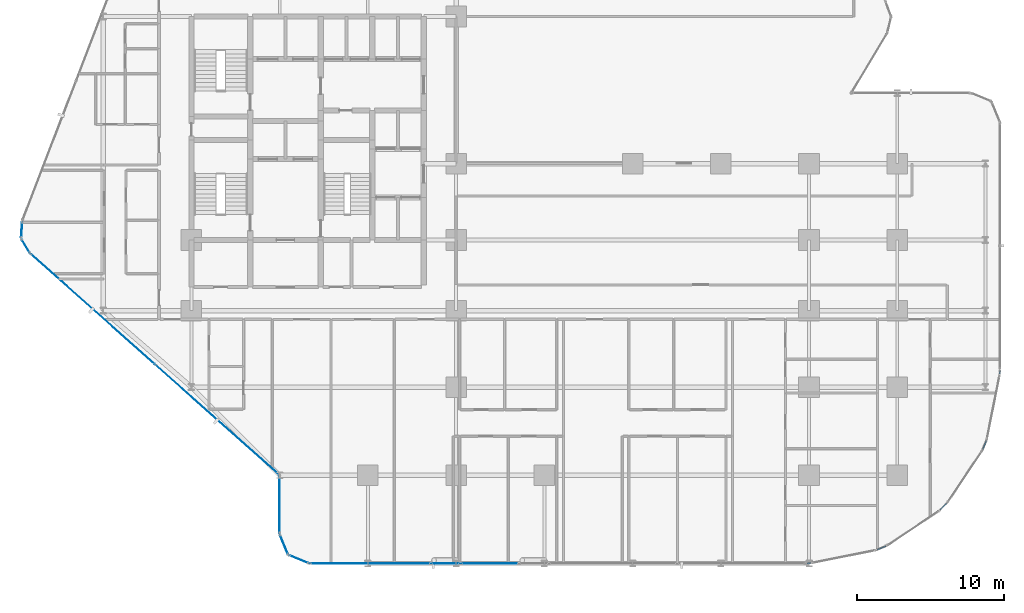
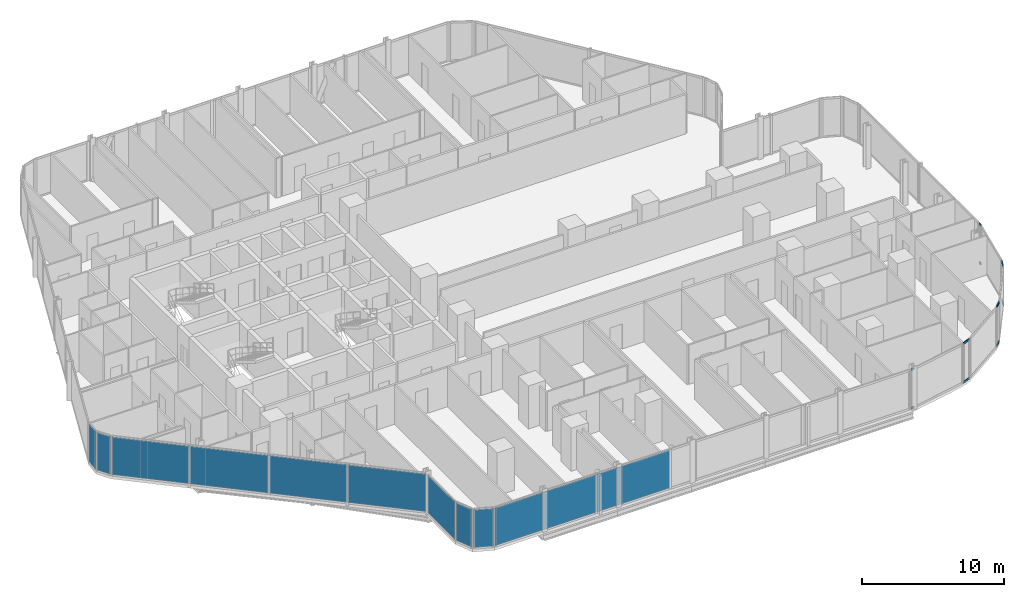
# One storey, part 20 of 34: 10 members, 10 plates, 14 elements without a shape of their own.
"""IFC4 building model written with IfcOpenShell, lengths in metres."""

from ifc_helpers import new_model, si_unit, direction, frame, origin, origin_2d, place, context, subcontext, project, spatial, rectangle, hollow_rectangle, extrude, material, layer, layer_set, material_profile, profile_set, type_object, element, aggregate, save


model = new_model("IFC4")

# Units and contexts
model_context = context("Model", 3, precision=1e-05, world=origin(), true_north=direction((0.0, 1.0)))
body_context = subcontext(model_context, "Body", "Model", "MODEL_VIEW")
ifc_project = project(units=[si_unit("LENGTHUNIT", "METRE"), si_unit("AREAUNIT", "SQUARE_METRE"), si_unit("VOLUMEUNIT", "CUBIC_METRE"), si_unit("PLANEANGLEUNIT", "RADIAN"), si_unit("MASSUNIT", "GRAM", prefix="KILO")], contexts=[model_context])

# Site, building, storey
site_placement = place(None, origin())
site = spatial("IfcSite", under=ifc_project, at=site_placement, CompositionType="ELEMENT")
building_placement = place(site_placement, origin())
building = spatial("IfcBuilding", under=site, at=building_placement, Name="Keshet Zoharim Tower", CompositionType="ELEMENT")
storey_placement = place(building_placement, frame((0.0, 0.0, 46.199951171875)))
storey = spatial("IfcBuildingStorey", under=building, at=storey_placement, Name="L10", CompositionType="ELEMENT", Elevation=46.199951171875)

# Curtain wall, members
ifc_material_1 = material(Name="Aluminium 6063-T6", Category="aluminium")
ifc_layer_1 = layer(ifc_material_1, 0.169921875)
ifc_layer_set_1 = layer_set([ifc_layer_1], Name="Aluminium 6063-T6")
curtain_wall_type_1 = type_object("IfcCurtainWallType", Name="CW-SYS-02", PredefinedType="NOTDEFINED", material=ifc_layer_set_1)
curtain_wall_1_placement = place(storey_placement, origin())
curtain_wall_1 = element("IfcCurtainWall", 1, at=curtain_wall_1_placement, inside=storey, type_object=curtain_wall_type_1, Name="L10 Unitised Curtain Wall 17", PredefinedType="NOTDEFINED")
ifc_material_profile = material_profile(ifc_material_1, hollow_rectangle(XDim=0.0849609375, YDim=0.159912109375, WallThickness=0.00439453125, at=origin_2d()), Name="TRN-85x160")
ifc_profile_set = profile_set([ifc_material_profile], Name="Aluminium 6063-T6")
member_type = type_object("IfcMemberType", Name="CWT-T16", PredefinedType="USERDEFINED", material=ifc_profile_set)
member_1_placement = place(storey_placement, frame((69.9931640625, 13.827392578125, 0.03515625), z_axis=(-0.096912647607, -0.995292890929, 0.0), x_axis=(0.995292890929, -0.096912647607, 0.0)))
member_1 = element("IfcMember", 2, at=member_1_placement, type_object=member_type, Name="CW-02 transom 1.1", ObjectType="TRANSOM", PredefinedType="USERDEFINED", context=body_context, shape_type="SweptSolid", body=[
    extrude(hollow_rectangle(XDim=0.0849609375, YDim=0.159912109375, WallThickness=0.00439453125, at=origin_2d()), origin(), (0.0, 0.0, 1.0), 0.251953125),
])
member_2_placement = place(storey_placement, frame((69.9931640625, 13.827392578125, 3.35009765625), z_axis=(-0.096912647607, -0.995292890929, 0.0), x_axis=(0.995292890929, -0.096912647607, 0.0)))
member_2 = element("IfcMember", 3, at=member_2_placement, type_object=member_type, Name="CW-02 transom 1.2", ObjectType="TRANSOM", PredefinedType="USERDEFINED", context=body_context, shape_type="SweptSolid", body=[
    extrude(hollow_rectangle(XDim=0.0849609375, YDim=0.159912109375, WallThickness=0.00439453125, at=origin_2d()), origin(), (0.0, 0.0, 1.0), 0.251953125),
])
aggregate(curtain_wall_1, [member_1, member_2])

ifc_layer_2 = layer(ifc_material_1, 0.179931640625)
ifc_layer_set_2 = layer_set([ifc_layer_2], Name="Aluminium 6063-T6")
curtain_wall_type_2 = type_object("IfcCurtainWallType", Name="CW-SYS-01", PredefinedType="NOTDEFINED", material=ifc_layer_set_2)
curtain_wall_2_placement = place(storey_placement, origin())
curtain_wall_2 = element("IfcCurtainWall", 4, at=curtain_wall_2_placement, inside=storey, type_object=curtain_wall_type_2, Name="L10 Unitised Curtain Wall 19", PredefinedType="NOTDEFINED")
member_3_placement = place(storey_placement, frame((69.061279296875, 9.05029296875, 0.03515625), z_axis=(-0.383126096215, -0.923696050874, 0.0), x_axis=(0.923696050874, -0.383126096215, 0.0)))
member_3 = element("IfcMember", 5, at=member_3_placement, type_object=member_type, Name="CW-01 transom 1.1", ObjectType="TRANSOM", PredefinedType="USERDEFINED", context=body_context, shape_type="SweptSolid", body=[
    extrude(hollow_rectangle(XDim=0.0849609375, YDim=0.159912109375, WallThickness=0.00439453125, at=origin_2d()), origin(), (0.0, 0.0, 1.0), 0.640380859375),
])
member_4_placement = place(storey_placement, frame((69.061279296875, 9.05029296875, 3.35009765625), z_axis=(-0.383126096215, -0.923696050874, 0.0), x_axis=(0.923696050874, -0.383126096215, 0.0)))
member_4 = element("IfcMember", 6, at=member_4_placement, type_object=member_type, Name="CW-01 transom 1.2", ObjectType="TRANSOM", PredefinedType="USERDEFINED", context=body_context, shape_type="SweptSolid", body=[
    extrude(hollow_rectangle(XDim=0.0849609375, YDim=0.159912109375, WallThickness=0.00439453125, at=origin_2d()), origin(), (0.0, 0.0, 1.0), 0.640380859375),
])
aggregate(curtain_wall_2, [member_3, member_4])

curtain_wall_3_placement = place(storey_placement, origin())
curtain_wall_3 = element("IfcCurtainWall", 7, at=curtain_wall_3_placement, inside=storey, type_object=curtain_wall_type_2, Name="L10 Unitised Curtain Wall 21", PredefinedType="NOTDEFINED")
member_5_placement = place(storey_placement, frame((66.363525390625, 4.78857421875, 0.03515625), z_axis=(-0.707106781187, -0.707106781187, 0.0), x_axis=(0.707106781187, -0.707106781187, 0.0)))
member_5 = element("IfcMember", 8, at=member_5_placement, type_object=member_type, Name="CW-01 transom 1.1", ObjectType="TRANSOM", PredefinedType="USERDEFINED", context=body_context, shape_type="SweptSolid", body=[
    extrude(hollow_rectangle(XDim=0.0849609375, YDim=0.159912109375, WallThickness=0.00439453125, at=origin_2d()), origin(), (0.0, 0.0, 1.0), 0.639404296875),
])
member_6_placement = place(storey_placement, frame((66.363525390625, 4.78857421875, 3.35009765625), z_axis=(-0.707106781187, -0.707106781187, 0.0), x_axis=(0.707106781187, -0.707106781187, 0.0)))
member_6 = element("IfcMember", 9, at=member_6_placement, type_object=member_type, Name="CW-01 transom 1.2", ObjectType="TRANSOM", PredefinedType="USERDEFINED", context=body_context, shape_type="SweptSolid", body=[
    extrude(hollow_rectangle(XDim=0.0849609375, YDim=0.159912109375, WallThickness=0.00439453125, at=origin_2d()), origin(), (0.0, 0.0, 1.0), 0.639404296875),
])
aggregate(curtain_wall_3, [member_5, member_6])

curtain_wall_4_placement = place(storey_placement, origin())
curtain_wall_4 = element("IfcCurtainWall", 10, at=curtain_wall_4_placement, inside=storey, type_object=curtain_wall_type_2, Name="L10 Unitised Curtain Wall 23", PredefinedType="NOTDEFINED")
member_7_placement = place(storey_placement, frame((62.241455078125, 1.88427734375, 0.03515625), z_axis=(-0.923751978938, -0.382991228891, 0.0), x_axis=(0.382991228891, -0.923751978938, 0.0)))
member_7 = element("IfcMember", 11, at=member_7_placement, type_object=member_type, Name="CW-01 transom 1.1", ObjectType="TRANSOM", PredefinedType="USERDEFINED", context=body_context, shape_type="SweptSolid", body=[
    extrude(hollow_rectangle(XDim=0.0849609375, YDim=0.159912109375, WallThickness=0.00439453125, at=origin_2d()), origin(), (0.0, 0.0, 1.0), 0.640625),
])
member_8_placement = place(storey_placement, frame((62.241455078125, 1.88427734375, 3.35009765625), z_axis=(-0.923751978938, -0.382991228891, 0.0), x_axis=(0.382991228891, -0.923751978938, 0.0)))
member_8 = element("IfcMember", 12, at=member_8_placement, type_object=member_type, Name="CW-01 transom 1.2", ObjectType="TRANSOM", PredefinedType="USERDEFINED", context=body_context, shape_type="SweptSolid", body=[
    extrude(hollow_rectangle(XDim=0.0849609375, YDim=0.159912109375, WallThickness=0.00439453125, at=origin_2d()), origin(), (0.0, 0.0, 1.0), 0.640625),
])
aggregate(curtain_wall_4, [member_7, member_8])

curtain_wall_5_placement = place(storey_placement, origin())
curtain_wall_5 = element("IfcCurtainWall", 13, at=curtain_wall_5_placement, inside=storey, type_object=curtain_wall_type_2, Name="L10 Unitised Curtain Wall 25", PredefinedType="NOTDEFINED")
member_9_placement = place(storey_placement, frame((57.123291015625, 0.731201171875, 0.03515625), z_axis=(-0.995292890929, -0.096912647607, 0.0), x_axis=(0.096912647607, -0.995292890929, 0.0)))
member_9 = element("IfcMember", 14, at=member_9_placement, type_object=member_type, Name="CW-01 transom 1.1", ObjectType="TRANSOM", PredefinedType="USERDEFINED", context=body_context, shape_type="SweptSolid", body=[
    extrude(hollow_rectangle(XDim=0.0849609375, YDim=0.159912109375, WallThickness=0.00439453125, at=origin_2d()), origin(), (0.0, 0.0, 1.0), 0.251953125),
])
member_10_placement = place(storey_placement, frame((57.123291015625, 0.731201171875, 3.35009765625), z_axis=(-0.995292890929, -0.096912647607, 0.0), x_axis=(0.096912647607, -0.995292890929, 0.0)))
member_10 = element("IfcMember", 15, at=member_10_placement, type_object=member_type, Name="CW-01 transom 1.2", ObjectType="TRANSOM", PredefinedType="USERDEFINED", context=body_context, shape_type="SweptSolid", body=[
    extrude(hollow_rectangle(XDim=0.0849609375, YDim=0.159912109375, WallThickness=0.00439453125, at=origin_2d()), origin(), (0.0, 0.0, 1.0), 0.251953125),
])
aggregate(curtain_wall_5, [member_9, member_10])

# Curtain wall, plates
curtain_wall_6_placement = place(storey_placement, origin())
curtain_wall_6 = element("IfcCurtainWall", 16, at=curtain_wall_6_placement, inside=storey, type_object=curtain_wall_type_2, Name="L10 Unitised Curtain Wall 01", PredefinedType="NOTDEFINED")
ifc_material_2 = material(Name="Insulated Low-E Clear Glass", Category="glass")
ifc_layer_3 = layer(ifc_material_2, 0.035888671875)
ifc_layer_set_3 = layer_set([ifc_layer_3], Name="Insulated Low-E Clear Glass")
plate_type_1 = type_object("IfcPlateType", Name="CWP-01", PredefinedType="CURTAIN_PANEL", material=ifc_layer_set_3)
plate_1_placement = place(storey_placement, frame((16.74560546875, 10.481689453125, 0.070068359375), z_axis=(0.0, 0.0, 1.0), x_axis=(-0.747409318679, 0.664363838836, 0.0)))
plate_1 = element("IfcPlate", 17, at=plate_1_placement, type_object=plate_type_1, Name="CW-01 panel 1.1", PredefinedType="CURTAIN_PANEL", context=body_context, shape_type="SweptSolid", body=[
    extrude(rectangle(XDim=11.244140625, YDim=0.035888671875, at=origin_2d()), origin(), (0.0, 0.0, 1.0), 3.2451171875),
])
plate_2_placement = place(storey_placement, frame((8.289306640625, 17.998291015625, 0.070068359375), z_axis=(0.0, 0.0, 1.0), x_axis=(-0.747409318679, 0.664363838836, 0.0)))
plate_2 = element("IfcPlate", 18, at=plate_2_placement, type_object=plate_type_1, Name="CW-01 panel 2.1", PredefinedType="CURTAIN_PANEL", context=body_context, shape_type="SweptSolid", body=[
    extrude(rectangle(XDim=11.244140625, YDim=0.035888671875, at=origin_2d()), origin(), (0.0, 0.0, 1.0), 3.2451171875),
])
aggregate(curtain_wall_6, [plate_1, plate_2])

# Curtain wall, plate
curtain_wall_7_placement = place(storey_placement, origin())
curtain_wall_7 = element("IfcCurtainWall", 19, at=curtain_wall_7_placement, inside=storey, type_object=curtain_wall_type_2, Name="L10 Unitised Curtain Wall 02", PredefinedType="NOTDEFINED")
plate_3_placement = place(storey_placement, frame((3.7275390625, 22.291015625, 0.070068359375), z_axis=(0.0, 0.0, 1.0), x_axis=(-0.515604947933, 0.856826433805, 0.0)))
plate_3 = element("IfcPlate", 20, at=plate_3_placement, type_object=plate_type_1, Name="CW-01 panel 1.1", PredefinedType="CURTAIN_PANEL", context=body_context, shape_type="SweptSolid", body=[
    extrude(rectangle(XDim=1.052734375, YDim=0.035888671875, at=origin_2d()), origin(), (0.0, 0.0, 1.0), 3.2451171875),
])
aggregate(curtain_wall_7, [plate_3])

curtain_wall_8_placement = place(storey_placement, origin())
curtain_wall_8 = element("IfcCurtainWall", 21, at=curtain_wall_8_placement, inside=storey, type_object=curtain_wall_type_2, Name="L10 Unitised Curtain Wall 03", PredefinedType="NOTDEFINED")
plate_4_placement = place(storey_placement, frame((3.45849609375, 23.3974609375, 0.070068359375), z_axis=(0.0, 0.0, 1.0), x_axis=(0.064516859374, 0.997916617186, 0.0)))
plate_4 = element("IfcPlate", 22, at=plate_4_placement, type_object=plate_type_1, Name="CW-01 panel 1.1", PredefinedType="CURTAIN_PANEL", context=body_context, shape_type="SweptSolid", body=[
    extrude(rectangle(XDim=1.053466796875, YDim=0.035888671875, at=origin_2d()), origin(), (0.0, 0.0, 1.0), 3.2451171875),
])
aggregate(curtain_wall_8, [plate_4])

curtain_wall_9_placement = place(storey_placement, origin())
curtain_wall_9 = element("IfcCurtainWall", 23, at=curtain_wall_9_placement, inside=storey, type_object=curtain_wall_type_2, Name="L10 Unitised Curtain Wall 26 Part 3", PredefinedType="NOTDEFINED")
plate_5_placement = place(storey_placement, frame((35.284912109375, 0.699951171875, 0.070068359375), z_axis=(0.0, 0.0, 1.0), x_axis=(-1.0, 0.0, 0.0)))
plate_5 = element("IfcPlate", 24, at=plate_5_placement, type_object=plate_type_1, Name="CW-01 panel 1.1", PredefinedType="CURTAIN_PANEL", context=body_context, shape_type="SweptSolid", body=[
    extrude(rectangle(XDim=3.90478515625, YDim=0.035888671875, at=origin_2d()), origin(), (0.0, 0.0, 1.0), 3.2451171875),
])
aggregate(curtain_wall_9, [plate_5])

curtain_wall_10_placement = place(storey_placement, origin())
curtain_wall_10 = element("IfcCurtainWall", 25, at=curtain_wall_10_placement, inside=storey, type_object=curtain_wall_type_2, Name="L10 Unitised Curtain Wall 26 Part 5", PredefinedType="NOTDEFINED")
plate_6_placement = place(storey_placement, frame((27.15380859375, 0.699951171875, 0.070068359375), z_axis=(0.0, 0.0, 1.0), x_axis=(-1.0, 0.0, 0.0)))
plate_6 = element("IfcPlate", 26, at=plate_6_placement, type_object=plate_type_1, Name="CW-01 panel 1.1", PredefinedType="CURTAIN_PANEL", context=body_context, shape_type="SweptSolid", body=[
    extrude(rectangle(XDim=8.16748046875, YDim=0.035888671875, at=origin_2d()), origin(), (0.0, 0.0, 1.0), 3.2451171875),
])
aggregate(curtain_wall_10, [plate_6])

curtain_wall_11_placement = place(storey_placement, origin())
curtain_wall_11 = element("IfcCurtainWall", 27, at=curtain_wall_11_placement, inside=storey, type_object=curtain_wall_type_2, Name="L10 Unitised Curtain Wall 27", PredefinedType="NOTDEFINED")
plate_7_placement = place(storey_placement, frame((22.29296875, 0.992919921875, 0.070068359375), z_axis=(0.0, 0.0, 1.0), x_axis=(-0.92380975372, 0.382851849847, 0.0)))
plate_7 = element("IfcPlate", 28, at=plate_7_placement, type_object=plate_type_1, Name="CW-01 panel 1.1", PredefinedType="CURTAIN_PANEL", context=body_context, shape_type="SweptSolid", body=[
    extrude(rectangle(XDim=1.390625, YDim=0.035888671875, at=origin_2d()), origin(), (0.0, 0.0, 1.0), 3.2451171875),
])
aggregate(curtain_wall_11, [plate_7])

curtain_wall_12_placement = place(storey_placement, origin())
curtain_wall_12 = element("IfcCurtainWall", 29, at=curtain_wall_12_placement, inside=storey, type_object=curtain_wall_type_2, Name="L10 Unitised Curtain Wall 28", PredefinedType="NOTDEFINED")
plate_8_placement = place(storey_placement, frame((21.29296875, 1.992919921875, 0.070068359375), z_axis=(0.0, 0.0, 1.0), x_axis=(-0.382851849847, 0.92380975372, 0.0)))
plate_8 = element("IfcPlate", 30, at=plate_8_placement, type_object=plate_type_1, Name="CW-01 panel 1.1", PredefinedType="CURTAIN_PANEL", context=body_context, shape_type="SweptSolid", body=[
    extrude(rectangle(XDim=1.390625, YDim=0.035888671875, at=origin_2d()), origin(), (0.0, 0.0, 1.0), 3.2451171875),
])
aggregate(curtain_wall_12, [plate_8])

curtain_wall_13_placement = place(storey_placement, origin())
curtain_wall_13 = element("IfcCurtainWall", 31, at=curtain_wall_13_placement, inside=storey, type_object=curtain_wall_type_2, Name="L10 Unitised Curtain Wall 29", PredefinedType="NOTDEFINED")
plate_9_placement = place(storey_placement, frame((21.0, 4.699951171875, 0.070068359375), z_axis=(0.0, 0.0, 1.0), x_axis=(0.0, 1.0, 0.0)))
plate_9 = element("IfcPlate", 32, at=plate_9_placement, type_object=plate_type_1, Name="CW-01 panel 1.1", PredefinedType="CURTAIN_PANEL", context=body_context, shape_type="SweptSolid", body=[
    extrude(rectangle(XDim=3.860107421875, YDim=0.035888671875, at=origin_2d()), origin(), (0.0, 0.0, 1.0), 3.2451171875),
])
aggregate(curtain_wall_13, [plate_9])

curtain_wall_14_placement = place(storey_placement, origin())
curtain_wall_14 = element("IfcCurtainWall", 33, at=curtain_wall_14_placement, inside=storey, type_object=curtain_wall_type_2, Name="L10 Unitised Curtain Wall 26 Part 4", PredefinedType="NOTDEFINED")
ifc_material_3 = material(Name="Insulated Aluminium Spandrel Panel", Category="aluminium")
ifc_layer_4 = layer(ifc_material_3, 0.035888671875)
ifc_layer_set_4 = layer_set([ifc_layer_4], Name="Insulated Aluminium Spandrel Panel")
plate_type_2 = type_object("IfcPlateType", Name="CWP-04", PredefinedType="CURTAIN_PANEL", material=ifc_layer_set_4)
plate_10_placement = place(storey_placement, frame((32.284912109375, 0.699951171875, 0.070068359375), z_axis=(0.0, 0.0, 1.0), x_axis=(-1.0, 0.0, 0.0)))
plate_10 = element("IfcPlate", 34, at=plate_10_placement, type_object=plate_type_2, Name="CW-01 spandrel panel 1.1", PredefinedType="CURTAIN_PANEL", context=body_context, shape_type="SweptSolid", body=[
    extrude(rectangle(XDim=1.955078125, YDim=0.035888671875, at=origin_2d()), origin(), (0.0, 0.0, 1.0), 3.2451171875),
])
aggregate(curtain_wall_14, [plate_10])

save(model, "model.ifc")
